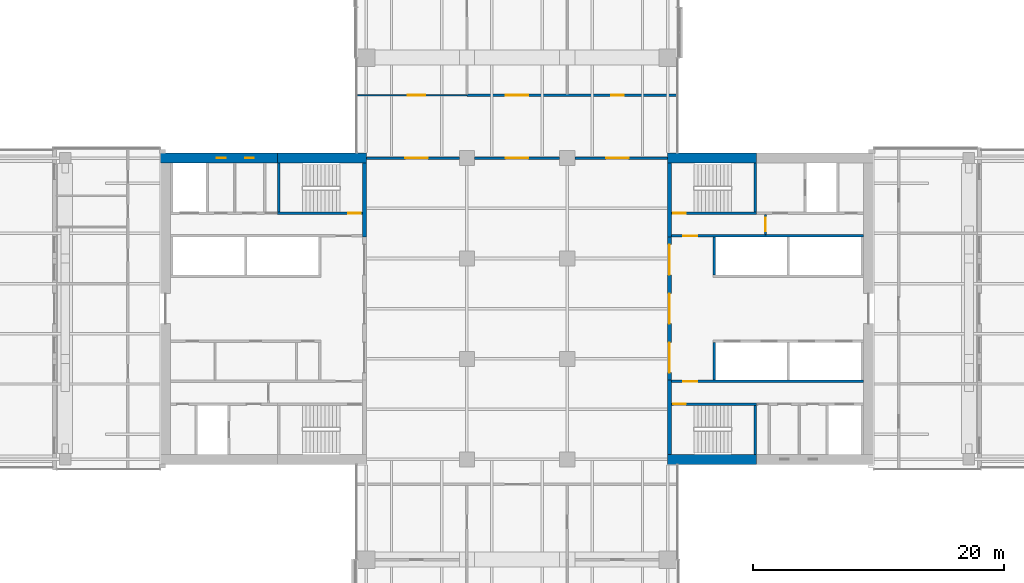
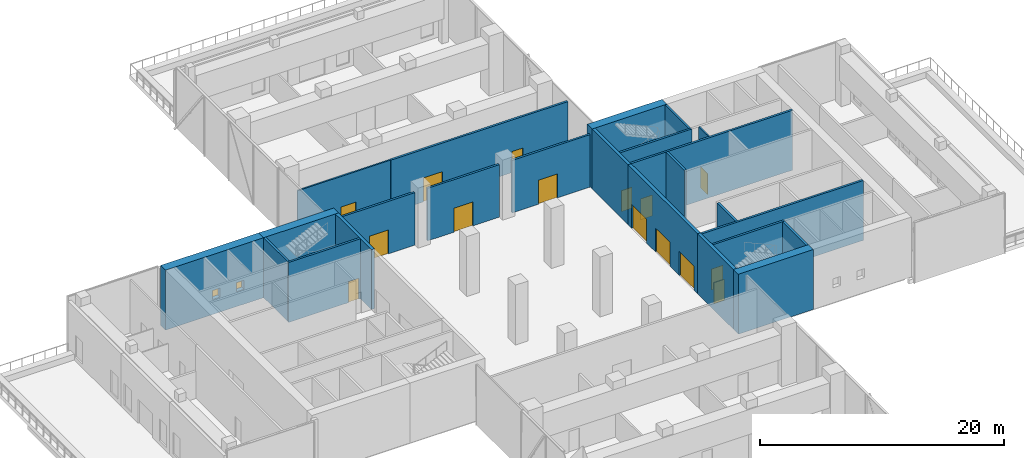
# One storey, part 16 of 23: 24 walls, 15 doors, 2 windows, 17 openings.
"""IFC4 building model written with IfcOpenShell, lengths in metres."""

from ifc_helpers import new_model, si_unit, direction, frame, frame_2d, origin, place, context, subcontext, project, spatial, rectangle, extrude, material, layer, layer_set, constituent, constituent_set, type_object, element, fill, save


model = new_model("IFC4")

# Units and contexts
model_context = context("Model", 3, precision=1e-05, world=origin(), true_north=direction((0.0, 1.0)))
body_context = subcontext(model_context, "Body", "Model", "MODEL_VIEW")
ifc_project = project(units=[si_unit("LENGTHUNIT", "METRE"), si_unit("AREAUNIT", "SQUARE_METRE"), si_unit("VOLUMEUNIT", "CUBIC_METRE"), si_unit("PLANEANGLEUNIT", "RADIAN"), si_unit("MASSUNIT", "GRAM", prefix="KILO")], contexts=[model_context])

# Site, building, storey
site_placement = place(None, origin())
site = spatial("IfcSite", under=ifc_project, at=site_placement, CompositionType="ELEMENT")
building_placement = place(site_placement, origin())
building = spatial("IfcBuilding", under=site, at=building_placement, Name="Crosswind Convention Tower", CompositionType="ELEMENT")
storey_placement = place(building_placement, frame((0.0, 0.0, 47.5)))
storey = spatial("IfcBuildingStorey", under=building, at=storey_placement, Name="L06", CompositionType="ELEMENT", Elevation=47.5)

# Wall, openings, doors
ifc_material_1 = material(Name="Concrete C50/60", Category="concrete")
ifc_layer_1 = layer(ifc_material_1, 0.300048828125)
ifc_layer_set_1 = layer_set([ifc_layer_1], Name="Concrete C50/60")
wall_type_1 = type_object("IfcWallType", Name="Concrete inner core wall 300", PredefinedType="SHEAR", material=ifc_layer_set_1)
wall_1_placement = place(storey_placement, frame((137.14990234375, 94.300048828125, 0.0), z_axis=(0.0, 0.0, 1.0), x_axis=(0.0, 1.0, 0.0)))
wall_1 = element("IfcWall", 1, at=wall_1_placement, inside=storey, type_object=wall_type_1, Name="Wall SCR E L06", PredefinedType="SHEAR", context=body_context, shape_type="SweptSolid", body=[
    extrude(rectangle(XDim=11.39990234375, YDim=0.300048828125, at=frame_2d((5.699951171875, 0.0))), origin(), (0.0, 0.0, 1.0), 6.0),
])
opening_1_placement = place(wall_1_placement, frame((0.60009765625, 0.0, 0.0)))
opening_1 = element("IfcOpeningElement", 2, at=opening_1_placement, cuts=wall_1, Name="Opening D100", PredefinedType="OPENING", context=body_context, shape_type="SweptSolid", body=[
    extrude(rectangle(XDim=2.39990234375, YDim=2.39990234375, at=frame_2d((1.199951171875, 1.199951171875))), frame((0.0, 0.159912109375, 0.0), z_axis=(0.0, -1.0, 0.0), x_axis=(1.0, 0.0, 0.0)), (0.0, 0.0, 1.0), 0.320068359375),
])
opening_2_placement = place(wall_1_placement, frame((4.5, 0.0, 0.0)))
opening_2 = element("IfcOpeningElement", 3, at=opening_2_placement, cuts=wall_1, Name="Opening D100", PredefinedType="OPENING", context=body_context, shape_type="SweptSolid", body=[
    extrude(rectangle(XDim=2.39990234375, YDim=2.39990234375, at=frame_2d((1.199951171875, 1.199951171875))), frame((0.0, 0.159912109375, 0.0), z_axis=(0.0, -1.0, 0.0), x_axis=(1.0, 0.0, 0.0)), (0.0, 0.0, 1.0), 0.320068359375),
])
opening_3_placement = place(wall_1_placement, frame((8.39990234375, 0.0, 0.0)))
opening_3 = element("IfcOpeningElement", 4, at=opening_3_placement, cuts=wall_1, Name="Opening D100", PredefinedType="OPENING", context=body_context, shape_type="SweptSolid", body=[
    extrude(rectangle(XDim=2.39990234375, YDim=2.39990234375, at=frame_2d((1.199951171875, 1.199951171875))), frame((0.0, 0.159912109375, 0.0), z_axis=(0.0, -1.0, 0.0), x_axis=(1.0, 0.0, 0.0)), (0.0, 0.0, 1.0), 0.320068359375),
])
ifc_material_2 = material(Name="Steel fire door with glazed vision panels", Category="steel")
door_type_1 = type_object("IfcDoorType", Name="Fire-rated double door 2400x2400", OperationType="DOUBLE_DOOR_SINGLE_SWING", PredefinedType="DOOR", material=ifc_material_2)
door_1_placement = place(opening_1_placement, origin())
door_1 = element("IfcDoor", 5, at=door_1_placement, inside=storey, type_object=door_type_1, Name="Lobby door 1 L06", ObjectType="D100", OperationType="DOUBLE_DOOR_SINGLE_SWING", OverallHeight=2.39990234375, OverallWidth=2.39990234375, PredefinedType="DOOR", context=body_context, shape_type="SweptSolid", body=[
    extrude(rectangle(XDim=2.39990234375, YDim=2.39990234375, at=frame_2d((1.199951171875, 1.199951171875))), frame((0.0, 0.02490234375, 0.0), z_axis=(0.0, -1.0, 0.0), x_axis=(1.0, 0.0, 0.0)), (0.0, 0.0, 1.0), 0.050048828125),
])
fill(opening_1, door_1)
door_2_placement = place(opening_2_placement, origin())
door_2 = element("IfcDoor", 6, at=door_2_placement, inside=storey, type_object=door_type_1, Name="Lobby door 2 L06", ObjectType="D100", OperationType="DOUBLE_DOOR_SINGLE_SWING", OverallHeight=2.39990234375, OverallWidth=2.39990234375, PredefinedType="DOOR", context=body_context, shape_type="SweptSolid", body=[
    extrude(rectangle(XDim=2.39990234375, YDim=2.39990234375, at=frame_2d((1.199951171875, 1.199951171875))), frame((0.0, 0.02490234375, 0.0), z_axis=(0.0, -1.0, 0.0), x_axis=(1.0, 0.0, 0.0)), (0.0, 0.0, 1.0), 0.050048828125),
])
fill(opening_2, door_2)
door_3_placement = place(opening_3_placement, origin())
door_3 = element("IfcDoor", 7, at=door_3_placement, inside=storey, type_object=door_type_1, Name="Lobby door 3 L06", ObjectType="D100", OperationType="DOUBLE_DOOR_SINGLE_SWING", OverallHeight=2.39990234375, OverallWidth=2.39990234375, PredefinedType="DOOR", context=body_context, shape_type="SweptSolid", body=[
    extrude(rectangle(XDim=2.39990234375, YDim=2.39990234375, at=frame_2d((1.199951171875, 1.199951171875))), frame((0.0, 0.02490234375, 0.0), z_axis=(0.0, -1.0, 0.0), x_axis=(1.0, 0.0, 0.0)), (0.0, 0.0, 1.0), 0.050048828125),
])
fill(opening_3, door_3)

# Walls
for number, where, z_axis, x_axis, name in (
    (8, (137.14990234375, 105.699951171875, 0.0), (0.0, 0.0, 1.0), (0.0, 1.0, 0.0), "Wall EP E L06"),
    (9, (137.14990234375, 88.39990234375, 0.0), (0.0, 0.0, 1.0), (0.0, 1.0, 0.0), "Wall EM E L06"),
    (10, (112.85009765625, 111.60009765625, 0.0), (0.0, 0.0, 1.0), (0.0, -1.0, 0.0), "Wall EM W L06"),
):
    element("IfcWall", number, at=place(storey_placement, frame(where, z_axis=z_axis, x_axis=x_axis)), inside=storey, type_object=wall_type_1, Name=name, PredefinedType="SHEAR", context=body_context, shape_type="SweptSolid", body=[
        extrude(rectangle(XDim=5.900146484375, YDim=0.300048828125, at=frame_2d((2.9501953125, 0.0))), origin(), (0.0, 0.0, 1.0), 6.0),
    ])
ifc_layer_2 = layer(ifc_material_1, 0.199951171875)
ifc_layer_set_2 = layer_set([ifc_layer_2], Name="Concrete C50/60")
wall_type_2 = type_object("IfcWallType", Name="Concrete shaft and stair wall 200", PredefinedType="SHEAR", material=ifc_layer_set_2)
for number, where, z_axis, x_axis, name in (
    (11, (140.699951171875, 102.699951171875, 0.0), (0.0, 0.0, 1.0), (0.0, 1.0, 0.0), "Wall RPEND E L06"),
    (12, (140.699951171875, 94.300048828125, 0.0), (0.0, 0.0, 1.0), (0.0, 1.0, 0.0), "Wall RMEND E L06"),
):
    element("IfcWall", number, at=place(storey_placement, frame(where, z_axis=z_axis, x_axis=x_axis)), inside=storey, type_object=wall_type_2, Name=name, PredefinedType="SHEAR", context=body_context, shape_type="SweptSolid", body=[
        extrude(rectangle(XDim=3.0, YDim=0.199951171875, at=frame_2d((1.5, 0.0))), origin(), (0.0, 0.0, 1.0), 6.0),
    ])

# Wall, opening, door
wall_2_placement = place(storey_placement, frame((137.300048828125, 105.800048828125, 0.0), z_axis=(0.0, 0.0, 1.0), x_axis=(1.0, 0.0, 0.0)))
wall_2 = element("IfcWall", 13, at=wall_2_placement, inside=storey, type_object=wall_type_2, Name="Wall HP E L06", PredefinedType="SHEAR", context=body_context, shape_type="SweptSolid", body=[
    extrude(rectangle(XDim=15.300048828125, YDim=0.199951171875, at=frame_2d((7.64990234375, 0.0))), origin(), (0.0, 0.0, 1.0), 6.0),
])
opening_4_placement = place(wall_2_placement, frame((0.949951171875, 0.0, 0.0)))
opening_4 = element("IfcOpeningElement", 14, at=opening_4_placement, cuts=wall_2, Name="Opening D104", PredefinedType="OPENING", context=body_context, shape_type="SweptSolid", body=[
    extrude(rectangle(XDim=1.10009765625, YDim=2.10009765625, at=frame_2d((0.550048828125, 1.050048828125))), frame((0.0, 0.10986328125, 0.0), z_axis=(0.0, -1.0, 0.0), x_axis=(1.0, 0.0, 0.0)), (0.0, 0.0, 1.0), 0.219970703125),
])
ifc_material_3 = material(Name="Steel fire door", Category="steel")
door_type_2 = type_object("IfcDoorType", Name="Fire-rated single door 1100x2100", OperationType="NOTDEFINED", PredefinedType="DOOR", material=ifc_material_3)
door_4_placement = place(opening_4_placement, origin())
door_4 = element("IfcDoor", 15, at=door_4_placement, inside=storey, type_object=door_type_2, Name="Corridor door L06", ObjectType="D104", OperationType="SINGLE_SWING_LEFT", OverallHeight=2.10009765625, OverallWidth=1.10009765625, PredefinedType="DOOR", context=body_context, shape_type="SweptSolid", body=[
    extrude(rectangle(XDim=1.10009765625, YDim=2.10009765625, at=frame_2d((0.550048828125, 1.050048828125))), frame((0.0, 0.02490234375, 0.0), z_axis=(0.0, -1.0, 0.0), x_axis=(1.0, 0.0, 0.0)), (0.0, 0.0, 1.0), 0.050048828125),
])
fill(opening_4, door_4)

# Wall
wall_3_placement = place(storey_placement, frame((144.0, 107.699951171875, 0.0), z_axis=(0.0, 0.0, 1.0), x_axis=(0.0, 1.0, 0.0)))
element("IfcWall", 16, at=wall_3_placement, inside=storey, type_object=wall_type_2, Name="Wall PSE E L06", PredefinedType="SHEAR", context=body_context, shape_type="SweptSolid", body=[
    extrude(rectangle(XDim=3.900146484375, YDim=0.199951171875, at=frame_2d((1.9501953125, 0.0))), origin(), (0.0, 0.0, 1.0), 6.0),
])

# Wall, opening, door
wall_4_placement = place(storey_placement, frame((137.300048828125, 107.60009765625, 0.0), z_axis=(0.0, 0.0, 1.0), x_axis=(1.0, 0.0, 0.0)))
wall_4 = element("IfcWall", 17, at=wall_4_placement, inside=storey, type_object=wall_type_2, Name="Wall PCW E L06", PredefinedType="SHEAR", context=body_context, shape_type="SweptSolid", body=[
    extrude(rectangle(XDim=6.800048828125, YDim=0.199951171875, at=frame_2d((3.39990234375, 0.0))), origin(), (0.0, 0.0, 1.0), 6.0),
])
opening_5_placement = place(wall_4_placement, frame((0.14990234375, 0.0, 0.0)))
opening_5 = element("IfcOpeningElement", 18, at=opening_5_placement, cuts=wall_4, Name="Opening D103", PredefinedType="OPENING", context=body_context, shape_type="SweptSolid", body=[
    extrude(rectangle(XDim=1.0, YDim=2.10009765625, at=frame_2d((0.5, 1.050048828125))), frame((0.0, 0.10986328125, 0.0), z_axis=(0.0, -1.0, 0.0), x_axis=(1.0, 0.0, 0.0)), (0.0, 0.0, 1.0), 0.219970703125),
])
door_type_3 = type_object("IfcDoorType", Name="Fire-rated single door 1000x2100", OperationType="NOTDEFINED", PredefinedType="DOOR", material=ifc_material_3)
door_5_placement = place(opening_5_placement, origin())
door_5 = element("IfcDoor", 19, at=door_5_placement, inside=storey, type_object=door_type_3, Name="Stair ST1 door L06", ObjectType="D103", OperationType="SINGLE_SWING_LEFT", OverallHeight=2.10009765625, OverallWidth=1.0, PredefinedType="DOOR", context=body_context, shape_type="SweptSolid", body=[
    extrude(rectangle(XDim=1.0, YDim=2.10009765625, at=frame_2d((0.5, 1.050048828125))), frame((0.0, 0.02490234375, 0.0), z_axis=(0.0, -1.0, 0.0), x_axis=(1.0, 0.0, 0.0)), (0.0, 0.0, 1.0), 0.050048828125),
])
fill(opening_5, door_5)

wall_5_placement = place(storey_placement, frame((137.300048828125, 94.199951171875, 0.0), z_axis=(0.0, 0.0, 1.0), x_axis=(1.0, 0.0, 0.0)))
wall_5 = element("IfcWall", 20, at=wall_5_placement, inside=storey, type_object=wall_type_2, Name="Wall HM E L06", PredefinedType="SHEAR", context=body_context, shape_type="SweptSolid", body=[
    extrude(rectangle(XDim=15.300048828125, YDim=0.199951171875, at=frame_2d((7.64990234375, 0.0))), origin(), (0.0, 0.0, 1.0), 6.0),
])
opening_6_placement = place(wall_5_placement, frame((0.949951171875, 0.0, 0.0)))
opening_6 = element("IfcOpeningElement", 21, at=opening_6_placement, cuts=wall_5, Name="Opening D104", PredefinedType="OPENING", context=body_context, shape_type="SweptSolid", body=[
    extrude(rectangle(XDim=1.10009765625, YDim=2.10009765625, at=frame_2d((0.550048828125, 1.050048828125))), frame((0.0, 0.10986328125, 0.0), z_axis=(0.0, -1.0, 0.0), x_axis=(1.0, 0.0, 0.0)), (0.0, 0.0, 1.0), 0.219970703125),
])
door_6_placement = place(opening_6_placement, origin())
door_6 = element("IfcDoor", 22, at=door_6_placement, inside=storey, type_object=door_type_2, Name="Corridor door L06", ObjectType="D104", OperationType="SINGLE_SWING_LEFT", OverallHeight=2.10009765625, OverallWidth=1.10009765625, PredefinedType="DOOR", context=body_context, shape_type="SweptSolid", body=[
    extrude(rectangle(XDim=1.10009765625, YDim=2.10009765625, at=frame_2d((0.550048828125, 1.050048828125))), frame((0.0, 0.02490234375, 0.0), z_axis=(0.0, -1.0, 0.0), x_axis=(1.0, 0.0, 0.0)), (0.0, 0.0, 1.0), 0.050048828125),
])
fill(opening_6, door_6)

# Wall
wall_6_placement = place(storey_placement, frame((144.0, 88.39990234375, 0.0), z_axis=(0.0, 0.0, 1.0), x_axis=(0.0, 1.0, 0.0)))
element("IfcWall", 23, at=wall_6_placement, inside=storey, type_object=wall_type_2, Name="Wall MSE E L06", PredefinedType="SHEAR", context=body_context, shape_type="SweptSolid", body=[
    extrude(rectangle(XDim=3.900146484375, YDim=0.199951171875, at=frame_2d((1.9501953125, 0.0))), origin(), (0.0, 0.0, 1.0), 6.0),
])

# Wall, opening, door
wall_7_placement = place(storey_placement, frame((137.300048828125, 92.39990234375, 0.0), z_axis=(0.0, 0.0, 1.0), x_axis=(1.0, 0.0, 0.0)))
wall_7 = element("IfcWall", 24, at=wall_7_placement, inside=storey, type_object=wall_type_2, Name="Wall MCW E L06", PredefinedType="SHEAR", context=body_context, shape_type="SweptSolid", body=[
    extrude(rectangle(XDim=6.800048828125, YDim=0.199951171875, at=frame_2d((3.39990234375, 0.0))), origin(), (0.0, 0.0, 1.0), 6.0),
])
opening_7_placement = place(wall_7_placement, frame((0.14990234375, 0.0, 0.0)))
opening_7 = element("IfcOpeningElement", 25, at=opening_7_placement, cuts=wall_7, Name="Opening D103", PredefinedType="OPENING", context=body_context, shape_type="SweptSolid", body=[
    extrude(rectangle(XDim=1.0, YDim=2.10009765625, at=frame_2d((0.5, 1.050048828125))), frame((0.0, 0.10986328125, 0.0), z_axis=(0.0, -1.0, 0.0), x_axis=(1.0, 0.0, 0.0)), (0.0, 0.0, 1.0), 0.219970703125),
])
door_7_placement = place(opening_7_placement, frame((1.0, 0.0, 0.0), z_axis=(0.0, 0.0, 1.0), x_axis=(-1.0, 0.0, 0.0)))
door_7 = element("IfcDoor", 26, at=door_7_placement, inside=storey, type_object=door_type_3, Name="Stair ST2 door L06", ObjectType="D103", OperationType="SINGLE_SWING_RIGHT", OverallHeight=2.10009765625, OverallWidth=1.0, PredefinedType="DOOR", context=body_context, shape_type="SweptSolid", body=[
    extrude(rectangle(XDim=1.0, YDim=2.10009765625, at=frame_2d((0.5, 1.050048828125))), frame((0.0, 0.02490234375, 0.0), z_axis=(0.0, -1.0, 0.0), x_axis=(1.0, 0.0, 0.0)), (0.0, 0.0, 1.0), 0.050048828125),
])
fill(opening_7, door_7)

# Wall
wall_8_placement = place(storey_placement, frame((106.0, 111.60009765625, 0.0), z_axis=(0.0, 0.0, 1.0), x_axis=(0.0, -1.0, 0.0)))
element("IfcWall", 27, at=wall_8_placement, inside=storey, type_object=wall_type_2, Name="Wall MSE W L06", PredefinedType="SHEAR", context=body_context, shape_type="SweptSolid", body=[
    extrude(rectangle(XDim=3.900146484375, YDim=0.199951171875, at=frame_2d((1.9501953125, 0.0))), origin(), (0.0, 0.0, 1.0), 6.0),
])

# Wall, opening, door
wall_9_placement = place(storey_placement, frame((112.699951171875, 107.60009765625, 0.0), z_axis=(0.0, 0.0, 1.0), x_axis=(-1.0, 0.0, 0.0)))
wall_9 = element("IfcWall", 28, at=wall_9_placement, inside=storey, type_object=wall_type_2, Name="Wall MCW W L06", PredefinedType="SHEAR", context=body_context, shape_type="SweptSolid", body=[
    extrude(rectangle(XDim=6.800048828125, YDim=0.199951171875, at=frame_2d((3.39990234375, 0.0))), origin(), (0.0, 0.0, 1.0), 6.0),
])
opening_8_placement = place(wall_9_placement, frame((0.14990234375, 0.0, 0.0)))
opening_8 = element("IfcOpeningElement", 29, at=opening_8_placement, cuts=wall_9, Name="Opening D103", PredefinedType="OPENING", context=body_context, shape_type="SweptSolid", body=[
    extrude(rectangle(XDim=1.0, YDim=2.10009765625, at=frame_2d((0.5, 1.050048828125))), frame((0.0, 0.10986328125, 0.0), z_axis=(0.0, -1.0, 0.0), x_axis=(1.0, 0.0, 0.0)), (0.0, 0.0, 1.0), 0.219970703125),
])
door_8_placement = place(opening_8_placement, frame((1.0, 0.0, 0.0), z_axis=(0.0, 0.0, 1.0), x_axis=(-1.0, 0.0, 0.0)))
door_8 = element("IfcDoor", 30, at=door_8_placement, inside=storey, type_object=door_type_3, Name="Stair ST4 door L06", ObjectType="D103", OperationType="SINGLE_SWING_RIGHT", OverallHeight=2.10009765625, OverallWidth=1.0, PredefinedType="DOOR", context=body_context, shape_type="SweptSolid", body=[
    extrude(rectangle(XDim=1.0, YDim=2.10009765625, at=frame_2d((0.5, 1.050048828125))), frame((0.0, 0.02490234375, 0.0), z_axis=(0.0, -1.0, 0.0), x_axis=(1.0, 0.0, 0.0)), (0.0, 0.0, 1.0), 0.050048828125),
])
fill(opening_8, door_8)

ifc_material_4 = material(Name="Gypsum plasterboard partition", Category="gypsum")
ifc_layer_3 = layer(ifc_material_4, 0.125)
ifc_layer_set_3 = layer_set([ifc_layer_3], Name="Drywall partition wall 125")
wall_type_3 = type_object("IfcWallType", Name="Drywall partition wall 125", PredefinedType="PARTITIONING", material=ifc_layer_set_3)
wall_10_placement = place(storey_placement, frame((144.800048828125, 105.89990234375, 0.0), z_axis=(0.0, 0.0, 1.0), x_axis=(0.0, 1.0, 0.0)))
wall_10 = element("IfcWall", 31, at=wall_10_placement, inside=storey, type_object=wall_type_3, Name="Wall PXC1 E L06", PredefinedType="PARTITIONING", context=body_context, shape_type="SweptSolid", body=[
    extrude(rectangle(XDim=1.60009765625, YDim=0.125, at=frame_2d((0.800048828125, 0.0))), origin(), (0.0, 0.0, 1.0), 6.0),
])
opening_9_placement = place(wall_10_placement, frame((0.25, 0.0, 0.0)))
opening_9 = element("IfcOpeningElement", 32, at=opening_9_placement, cuts=wall_10, Name="Opening D104", PredefinedType="OPENING", context=body_context, shape_type="SweptSolid", body=[
    extrude(rectangle(XDim=1.10009765625, YDim=2.10009765625, at=frame_2d((0.550048828125, 1.050048828125))), frame((0.0, 0.072509765625, 0.0), z_axis=(0.0, -1.0, 0.0), x_axis=(1.0, 0.0, 0.0)), (0.0, 0.0, 1.0), 0.14501953125),
])
door_9_placement = place(opening_9_placement, origin())
door_9 = element("IfcDoor", 33, at=door_9_placement, inside=storey, type_object=door_type_2, Name="Corridor smoke door L06", ObjectType="D104", OperationType="SINGLE_SWING_RIGHT", OverallHeight=2.10009765625, OverallWidth=1.10009765625, PredefinedType="DOOR", context=body_context, shape_type="SweptSolid", body=[
    extrude(rectangle(XDim=1.10009765625, YDim=2.10009765625, at=frame_2d((0.550048828125, 1.050048828125))), frame((0.0, 0.02490234375, 0.0), z_axis=(0.0, -1.0, 0.0), x_axis=(1.0, 0.0, 0.0)), (0.0, 0.0, 1.0), 0.050048828125),
])
fill(opening_9, door_9)

ifc_material_5 = material(Name="Double plasterboard partition", Category="gypsum")
ifc_layer_4 = layer(ifc_material_5, 0.199951171875)
ifc_layer_set_4 = layer_set([ifc_layer_4], Name="HALL WALL 200")
wall_type_4 = type_object("IfcWallType", Name="HALL WALL 200", PredefinedType="PARTITIONING", material=ifc_layer_set_4)
wall_11_placement = place(storey_placement, frame((113.0, 112.0, 0.0), z_axis=(0.0, 0.0, 1.0), x_axis=(1.0, 0.0, 0.0)))
wall_11 = element("IfcWall", 34, at=wall_11_placement, inside=storey, type_object=wall_type_4, Name="Hall Wall 10", PredefinedType="PARTITIONING", context=body_context, shape_type="SweptSolid", body=[
    extrude(rectangle(XDim=7.39990234375, YDim=0.199951171875, at=frame_2d((3.699951171875, 0.0))), origin(), (0.0, 0.0, 1.0), 5.25634765625),
])
opening_10_placement = place(wall_11_placement, frame((3.10009765625, 0.0, 0.0)))
opening_10 = element("IfcOpeningElement", 35, at=opening_10_placement, cuts=wall_11, Name="Opening 06.001", PredefinedType="OPENING", context=body_context, shape_type="SweptSolid", body=[
    extrude(rectangle(XDim=1.800048828125, YDim=2.39990234375, at=frame_2d((0.89990234375, 1.199951171875))), frame((0.0, 0.10986328125, 0.0), z_axis=(0.0, -1.0, 0.0), x_axis=(1.0, 0.0, 0.0)), (0.0, 0.0, 1.0), 0.219970703125),
])
ifc_material_6 = material(Name="Timber fire door", Category="wood")
door_type_4 = type_object("IfcDoorType", Name="HALL DOUBLE DOOR 1800X2400", OperationType="DOUBLE_DOOR_SINGLE_SWING", PredefinedType="DOOR", material=ifc_material_6)
door_10_placement = place(opening_10_placement, frame((1.800048828125, 0.0, 0.0), z_axis=(0.0, 0.0, 1.0), x_axis=(-1.0, 0.0, 0.0)))
door_10 = element("IfcDoor", 36, at=door_10_placement, inside=storey, type_object=door_type_4, Name="Door 06.001", ObjectType="D5", OperationType="DOUBLE_DOOR_SINGLE_SWING", OverallHeight=2.39990234375, OverallWidth=1.800048828125, PredefinedType="DOOR", context=body_context, shape_type="SweptSolid", body=[
    extrude(rectangle(XDim=1.800048828125, YDim=2.39990234375, at=frame_2d((0.89990234375, 1.199951171875))), frame((0.0, 0.02490234375, 0.0), z_axis=(0.0, -1.0, 0.0), x_axis=(1.0, 0.0, 0.0)), (0.0, 0.0, 1.0), 0.050048828125),
])
fill(opening_10, door_10)

wall_12_placement = place(storey_placement, frame((121.60009765625, 112.0, 0.0), z_axis=(0.0, 0.0, 1.0), x_axis=(1.0, 0.0, 0.0)))
wall_12 = element("IfcWall", 37, at=wall_12_placement, inside=storey, type_object=wall_type_4, Name="Hall Wall 11", PredefinedType="PARTITIONING", context=body_context, shape_type="SweptSolid", body=[
    extrude(rectangle(XDim=6.7998046875, YDim=0.199951171875, at=frame_2d((3.39990234375, 0.0))), origin(), (0.0, 0.0, 1.0), 5.259765625),
])
opening_11_placement = place(wall_12_placement, frame((2.5, 0.0, 0.0)))
opening_11 = element("IfcOpeningElement", 38, at=opening_11_placement, cuts=wall_12, Name="Opening 06.002", PredefinedType="OPENING", context=body_context, shape_type="SweptSolid", body=[
    extrude(rectangle(XDim=1.800048828125, YDim=2.39990234375, at=frame_2d((0.89990234375, 1.199951171875))), frame((0.0, 0.10986328125, 0.0), z_axis=(0.0, -1.0, 0.0), x_axis=(1.0, 0.0, 0.0)), (0.0, 0.0, 1.0), 0.219970703125),
])
door_11_placement = place(opening_11_placement, frame((1.800048828125, 0.0, 0.0), z_axis=(0.0, 0.0, 1.0), x_axis=(-1.0, 0.0, 0.0)))
door_11 = element("IfcDoor", 39, at=door_11_placement, inside=storey, type_object=door_type_4, Name="Door 06.002", ObjectType="D5", OperationType="DOUBLE_DOOR_SINGLE_SWING", OverallHeight=2.39990234375, OverallWidth=1.800048828125, PredefinedType="DOOR", context=body_context, shape_type="SweptSolid", body=[
    extrude(rectangle(XDim=1.800048828125, YDim=2.39990234375, at=frame_2d((0.89990234375, 1.199951171875))), frame((0.0, 0.02490234375, 0.0), z_axis=(0.0, -1.0, 0.0), x_axis=(1.0, 0.0, 0.0)), (0.0, 0.0, 1.0), 0.050048828125),
])
fill(opening_11, door_11)

wall_13_placement = place(storey_placement, frame((129.60009765625, 112.0, 0.0), z_axis=(0.0, 0.0, 1.0), x_axis=(1.0, 0.0, 0.0)))
wall_13 = element("IfcWall", 40, at=wall_13_placement, inside=storey, type_object=wall_type_4, Name="Hall Wall 12", PredefinedType="PARTITIONING", context=body_context, shape_type="SweptSolid", body=[
    extrude(rectangle(XDim=7.39990234375, YDim=0.199951171875, at=frame_2d((3.699951171875, 0.0))), origin(), (0.0, 0.0, 1.0), 5.25634765625),
])
opening_12_placement = place(wall_13_placement, frame((2.5, 0.0, 0.0)))
opening_12 = element("IfcOpeningElement", 41, at=opening_12_placement, cuts=wall_13, Name="Opening 06.003", PredefinedType="OPENING", context=body_context, shape_type="SweptSolid", body=[
    extrude(rectangle(XDim=1.800048828125, YDim=2.39990234375, at=frame_2d((0.89990234375, 1.199951171875))), frame((0.0, 0.10986328125, 0.0), z_axis=(0.0, -1.0, 0.0), x_axis=(1.0, 0.0, 0.0)), (0.0, 0.0, 1.0), 0.219970703125),
])
door_12_placement = place(opening_12_placement, frame((1.800048828125, 0.0, 0.0), z_axis=(0.0, 0.0, 1.0), x_axis=(-1.0, 0.0, 0.0)))
door_12 = element("IfcDoor", 42, at=door_12_placement, inside=storey, type_object=door_type_4, Name="Door 06.003", ObjectType="D5", OperationType="DOUBLE_DOOR_SINGLE_SWING", OverallHeight=2.39990234375, OverallWidth=1.800048828125, PredefinedType="DOOR", context=body_context, shape_type="SweptSolid", body=[
    extrude(rectangle(XDim=1.800048828125, YDim=2.39990234375, at=frame_2d((0.89990234375, 1.199951171875))), frame((0.0, 0.02490234375, 0.0), z_axis=(0.0, -1.0, 0.0), x_axis=(1.0, 0.0, 0.0)), (0.0, 0.0, 1.0), 0.050048828125),
])
fill(opening_12, door_12)

# Wall, openings, doors
wall_14_placement = place(storey_placement, frame((121.0, 117.0, 0.0), z_axis=(0.0, 0.0, 1.0), x_axis=(1.0, 0.0, 0.0)))
wall_14 = element("IfcWall", 43, at=wall_14_placement, inside=storey, type_object=wall_type_4, Name="Hall Wall 14", PredefinedType="PARTITIONING", context=body_context, shape_type="SweptSolid", body=[
    extrude(rectangle(XDim=16.800048828125, YDim=0.199951171875, at=frame_2d((8.39990234375, 0.0))), origin(), (0.0, 0.0, 1.0), 5.259765625),
])
opening_13_placement = place(wall_14_placement, frame((3.10009765625, 0.0, 0.0)))
opening_13 = element("IfcOpeningElement", 44, at=opening_13_placement, cuts=wall_14, Name="Opening 06.005", PredefinedType="OPENING", context=body_context, shape_type="SweptSolid", body=[
    extrude(rectangle(XDim=1.800048828125, YDim=2.39990234375, at=frame_2d((0.89990234375, 1.199951171875))), frame((0.0, 0.10986328125, 0.0), z_axis=(0.0, -1.0, 0.0), x_axis=(1.0, 0.0, 0.0)), (0.0, 0.0, 1.0), 0.219970703125),
])
opening_14_placement = place(wall_14_placement, frame((11.5, 0.0, 0.0)))
opening_14 = element("IfcOpeningElement", 45, at=opening_14_placement, cuts=wall_14, Name="Opening 06.006", PredefinedType="OPENING", context=body_context, shape_type="SweptSolid", body=[
    extrude(rectangle(XDim=1.0, YDim=2.10009765625, at=frame_2d((0.5, 1.050048828125))), frame((0.0, 0.10986328125, 0.0), z_axis=(0.0, -1.0, 0.0), x_axis=(1.0, 0.0, 0.0)), (0.0, 0.0, 1.0), 0.219970703125),
])
door_13_placement = place(opening_13_placement, origin())
door_13 = element("IfcDoor", 46, at=door_13_placement, inside=storey, type_object=door_type_4, Name="Door 06.005", ObjectType="D5", OperationType="DOUBLE_DOOR_SINGLE_SWING", OverallHeight=2.39990234375, OverallWidth=1.800048828125, PredefinedType="DOOR", context=body_context, shape_type="SweptSolid", body=[
    extrude(rectangle(XDim=1.800048828125, YDim=2.39990234375, at=frame_2d((0.89990234375, 1.199951171875))), frame((0.0, 0.02490234375, 0.0), z_axis=(0.0, -1.0, 0.0), x_axis=(1.0, 0.0, 0.0)), (0.0, 0.0, 1.0), 0.050048828125),
])
fill(opening_13, door_13)
door_type_5 = type_object("IfcDoorType", Name="SERVICE ROOM DOOR 1000X2100", OperationType="NOTDEFINED", PredefinedType="DOOR", material=ifc_material_6)
door_14_placement = place(opening_14_placement, origin())
door_14 = element("IfcDoor", 47, at=door_14_placement, inside=storey, type_object=door_type_5, Name="Door 06.006", ObjectType="D3", OperationType="SINGLE_SWING_LEFT", OverallHeight=2.10009765625, OverallWidth=1.0, PredefinedType="DOOR", context=body_context, shape_type="SweptSolid", body=[
    extrude(rectangle(XDim=1.0, YDim=2.10009765625, at=frame_2d((0.5, 1.050048828125))), frame((0.0, 0.02490234375, 0.0), z_axis=(0.0, -1.0, 0.0), x_axis=(1.0, 0.0, 0.0)), (0.0, 0.0, 1.0), 0.050048828125),
])
fill(opening_14, door_14)

# Wall, opening, door
ifc_material_7 = material(Name="Tiled blockwork", Category="masonry")
ifc_layer_5 = layer(ifc_material_7, 0.14990234375)
ifc_layer_set_5 = layer_set([ifc_layer_5], Name="KITCHEN WALL 150")
wall_type_5 = type_object("IfcWallType", Name="KITCHEN WALL 150", PredefinedType="SOLIDWALL", material=ifc_layer_set_5)
wall_15_placement = place(storey_placement, frame((112.199951171875, 117.0, 0.0), z_axis=(0.0, 0.0, 1.0), x_axis=(1.0, 0.0, 0.0)))
wall_15 = element("IfcWall", 48, at=wall_15_placement, inside=storey, type_object=wall_type_5, Name="Kitchen Wall 13", PredefinedType="SOLIDWALL", context=body_context, shape_type="SweptSolid", body=[
    extrude(rectangle(XDim=8.800048828125, YDim=0.14990234375, at=frame_2d((4.39990234375, 0.0))), origin(), (0.0, 0.0, 1.0), 5.259765625),
])
opening_15_placement = place(wall_15_placement, frame((4.10009765625, 0.0, 0.0)))
opening_15 = element("IfcOpeningElement", 49, at=opening_15_placement, cuts=wall_15, Name="Opening 06.004", PredefinedType="OPENING", context=body_context, shape_type="SweptSolid", body=[
    extrude(rectangle(XDim=1.39990234375, YDim=2.199951171875, at=frame_2d((0.699951171875, 1.10009765625))), frame((0.0, 0.0849609375, 0.0), z_axis=(0.0, -1.0, 0.0), x_axis=(1.0, 0.0, 0.0)), (0.0, 0.0, 1.0), 0.169921875),
])
ifc_material_8 = material(Name="Stainless steel door", Category="steel")
door_type_6 = type_object("IfcDoorType", Name="KITCHEN DOOR 1400X2200", OperationType="DOUBLE_DOOR_SINGLE_SWING", PredefinedType="DOOR", material=ifc_material_8)
door_15_placement = place(opening_15_placement, origin())
door_15 = element("IfcDoor", 50, at=door_15_placement, inside=storey, type_object=door_type_6, Name="Door 06.004", ObjectType="D12", OperationType="DOUBLE_DOOR_SINGLE_SWING", OverallHeight=2.199951171875, OverallWidth=1.39990234375, PredefinedType="DOOR", context=body_context, shape_type="SweptSolid", body=[
    extrude(rectangle(XDim=1.39990234375, YDim=2.199951171875, at=frame_2d((0.699951171875, 1.10009765625))), frame((0.0, 0.02490234375, 0.0), z_axis=(0.0, -1.0, 0.0), x_axis=(1.0, 0.0, 0.0)), (0.0, 0.0, 1.0), 0.050048828125),
])
fill(opening_15, door_15)

# Walls
ifc_material_9 = material(Name="Concrete C60/75", Category="concrete")
ifc_constituent_1 = constituent(ifc_material_9, Name="Structure")
ifc_material_10 = material(Name="Terracotta rainscreen", Category="ceramic")
ifc_constituent_2 = constituent(ifc_material_10, Name="Facing")
ifc_constituent_set = constituent_set(constituents=[ifc_constituent_1, ifc_constituent_2], Name="Concrete C60/75, Terracotta rainscreen")
wall_type_6 = type_object("IfcWallType", Name="Terracotta rainscreen on concrete core wall 800", PredefinedType="SHEAR", material=ifc_constituent_set)
for number, where, z_axis, x_axis, name in (
    (51, (137.0, 112.0, 0.0), (0.0, 0.0, 1.0), (1.0, 0.0, 0.0), "Wall N1 E L06"),
    (52, (137.0, 88.0, 0.0), (0.0, 0.0, 1.0), (1.0, 0.0, 0.0), "Wall S1 E L06"),
    (53, (113.0, 112.0, 0.0), (0.0, 0.0, 1.0), (-1.0, 0.0, 0.0), "Wall S1 W L06"),
):
    element("IfcWall", number, at=place(storey_placement, frame(where, z_axis=z_axis, x_axis=x_axis)), inside=storey, type_object=wall_type_6, Name=name, PredefinedType="SHEAR", context=body_context, shape_type="SweptSolid", body=[
        extrude(rectangle(XDim=7.10009765625, YDim=0.800048828125, at=frame_2d((3.550048828125, 0.0))), origin(), (0.0, 0.0, 1.0), 6.0),
    ])

# Wall, openings, windows
wall_16_placement = place(storey_placement, frame((105.89990234375, 112.0, 0.0), z_axis=(0.0, 0.0, 1.0), x_axis=(-1.0, 0.0, 0.0)))
wall_16 = element("IfcWall", 54, at=wall_16_placement, inside=storey, type_object=wall_type_6, Name="Wall S2 W L06", PredefinedType="SHEAR", context=body_context, shape_type="SweptSolid", body=[
    extrude(rectangle(XDim=9.2998046875, YDim=0.800048828125, at=frame_2d((4.64990234375, 0.0))), origin(), (0.0, 0.0, 1.0), 6.0),
])
opening_16_placement = place(wall_16_placement, frame((1.86279296875, 0.0, 1.5)))
opening_16 = element("IfcOpeningElement", 55, at=opening_16_placement, cuts=wall_16, Name="Opening W2", PredefinedType="OPENING", context=body_context, shape_type="SweptSolid", body=[
    extrude(rectangle(XDim=0.699951171875, YDim=0.89990234375, at=frame_2d((0.35009765625, 0.449951171875))), frame((0.0, 0.409912109375, 0.0), z_axis=(0.0, -1.0, 0.0), x_axis=(1.0, 0.0, 0.0)), (0.0, 0.0, 1.0), 0.820068359375),
])
opening_17_placement = place(wall_16_placement, frame((4.125244140625, 0.0, 1.5)))
opening_17 = element("IfcOpeningElement", 56, at=opening_17_placement, cuts=wall_16, Name="Opening W2", PredefinedType="OPENING", context=body_context, shape_type="SweptSolid", body=[
    extrude(rectangle(XDim=0.699951171875, YDim=0.89990234375, at=frame_2d((0.35009765625, 0.449951171875))), frame((0.0, 0.409912109375, 0.0), z_axis=(0.0, -1.0, 0.0), x_axis=(1.0, 0.0, 0.0)), (0.0, 0.0, 1.0), 0.820068359375),
])
ifc_material_11 = material(Name="Obscure glass in aluminium frame", Category="aluminium")
window_type = type_object("IfcWindowType", Name="WC window 700x900", PartitioningType="SINGLE_PANEL", PredefinedType="WINDOW", material=ifc_material_11)
window_1_placement = place(opening_16_placement, origin())
window_1 = element("IfcWindow", 57, at=window_1_placement, inside=storey, type_object=window_type, Name="WC window L06", ObjectType="W2", OverallHeight=0.89990234375, OverallWidth=0.699951171875, PartitioningType="SINGLE_PANEL", PredefinedType="WINDOW", context=body_context, shape_type="SweptSolid", body=[
    extrude(rectangle(XDim=0.699951171875, YDim=0.89990234375, at=frame_2d((0.35009765625, 0.449951171875))), frame((0.0, 0.030029296875, 0.0), z_axis=(0.0, -1.0, 0.0), x_axis=(1.0, 0.0, 0.0)), (0.0, 0.0, 1.0), 0.06005859375),
])
fill(opening_16, window_1)
window_2_placement = place(opening_17_placement, origin())
window_2 = element("IfcWindow", 58, at=window_2_placement, inside=storey, type_object=window_type, Name="WC window L06", ObjectType="W2", OverallHeight=0.89990234375, OverallWidth=0.699951171875, PartitioningType="SINGLE_PANEL", PredefinedType="WINDOW", context=body_context, shape_type="SweptSolid", body=[
    extrude(rectangle(XDim=0.699951171875, YDim=0.89990234375, at=frame_2d((0.35009765625, 0.449951171875))), frame((0.0, 0.030029296875, 0.0), z_axis=(0.0, -1.0, 0.0), x_axis=(1.0, 0.0, 0.0)), (0.0, 0.0, 1.0), 0.06005859375),
])
fill(opening_17, window_2)

save(model, "model.ifc")
